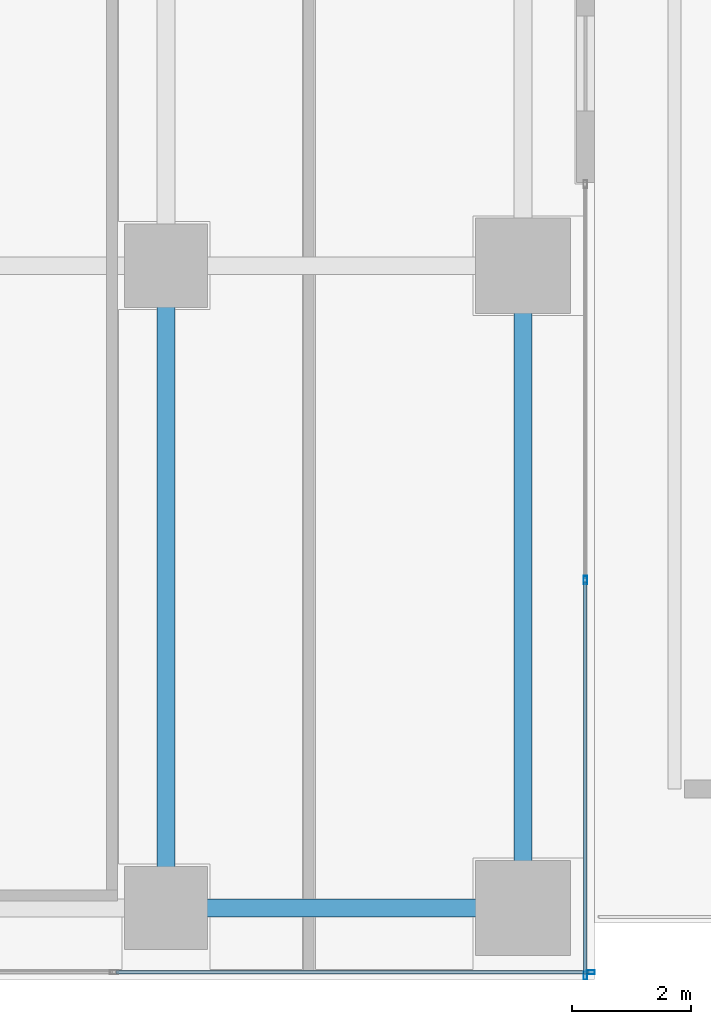
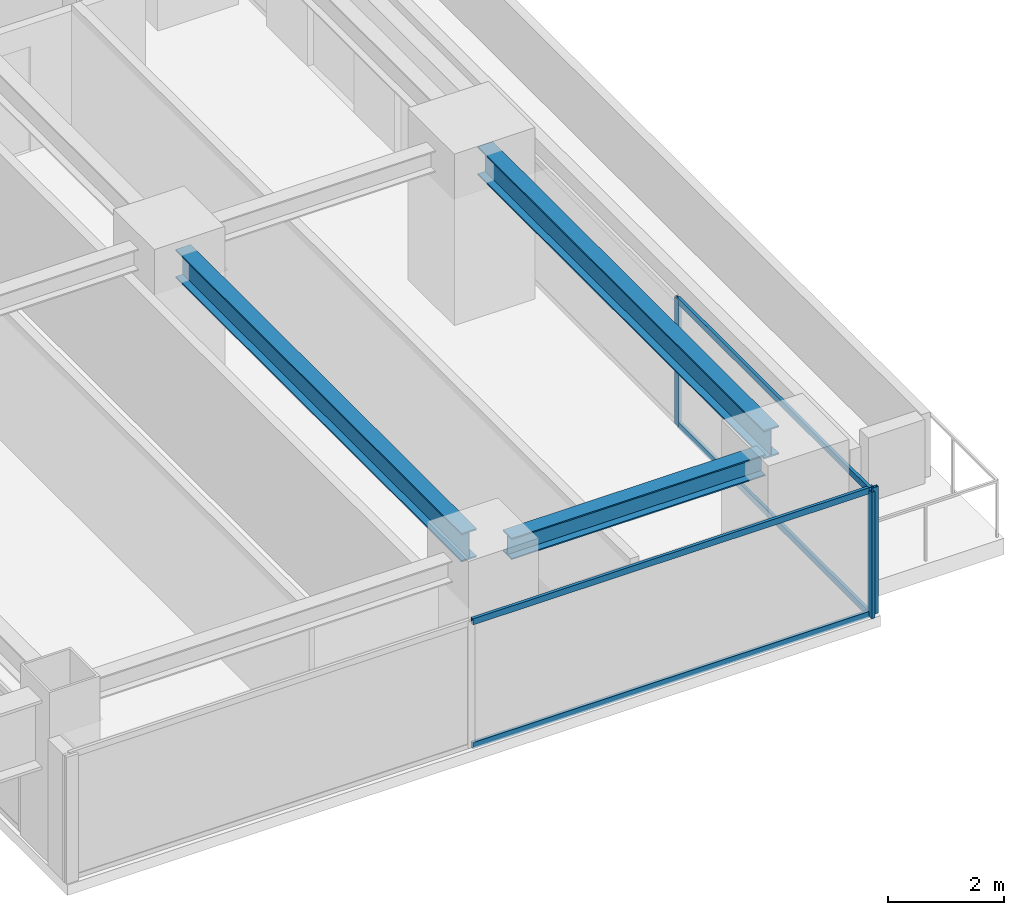
# One storey, part 15 of 32: 7 members, 3 beams, 2 elements without a shape of their own.
"""IFC4 building model written with IfcOpenShell, lengths in metres."""

from ifc_helpers import new_model, si_unit, direction, frame, origin, origin_2d, place, context, subcontext, project, spatial, hollow_rectangle, i_section, extrude, source, transform, mapped, material, layer, layer_set, material_profile, profile_set, type_object, element, aggregate, save


model = new_model("IFC4")

# Units and contexts
model_context = context("Model", 3, precision=1e-05, world=origin(), true_north=direction((0.0, 1.0)))
body_context = subcontext(model_context, "Body", "Model", "MODEL_VIEW")
ifc_project = project(units=[si_unit("LENGTHUNIT", "METRE"), si_unit("AREAUNIT", "SQUARE_METRE"), si_unit("VOLUMEUNIT", "CUBIC_METRE"), si_unit("PLANEANGLEUNIT", "RADIAN"), si_unit("MASSUNIT", "GRAM", prefix="KILO")], contexts=[model_context])

# Site, building, storey
site_placement = place(None, origin())
site = spatial("IfcSite", under=ifc_project, at=site_placement, CompositionType="ELEMENT")
building_placement = place(site_placement, origin())
building = spatial("IfcBuilding", under=site, at=building_placement, Name="Sumidabori Civic Tower", CompositionType="ELEMENT")
storey_placement = place(building_placement, frame((0.0, 0.0, 225.199951171875)))
storey = spatial("IfcBuildingStorey", under=building, at=storey_placement, Name="L58", CompositionType="ELEMENT", Elevation=225.199951171875)

# Beams
ifc_material_1 = material(Name="Steel SN490", Category="steel")
ifc_material_profile_1 = material_profile(ifc_material_1, i_section(OverallWidth=0.300048828125, OverallDepth=0.60009765625, WebThickness=0.015380859375, FlangeThickness=0.030029296875, at=origin_2d()), Name="HE 600 B")
ifc_profile_set_1 = profile_set([ifc_material_profile_1], Name="Steel SN490")
beam_type_1 = type_object("IfcBeamType", Name="BM-GIRD-600", PredefinedType="BEAM", material=ifc_profile_set_1)
shared_shape_1 = source(origin(), body_context, "Body", "SweptSolid", [
    extrude(i_section(OverallWidth=0.300048828125, OverallDepth=0.60009765625, WebThickness=0.015380859375, FlangeThickness=0.030029296875, at=origin_2d()), origin(), (0.0, 0.0, 1.0), 9.840087890625),
])
for number, where, z_axis, x_axis, name in (
    (1, (16.800048828125, -10.320068359375, 2.97998046875), (0.0, 1.0, 0.0), (-1.0, 0.0, 0.0), "Primary Girder L58 GY-19"),
    (2, (22.800048828125, -10.320068359375, 3.0400390625), (0.0, 1.0, 0.0), (-1.0, 0.0, 0.0), "Primary Girder L58 GY-22"),
):
    element("IfcBeam", number, at=place(storey_placement, frame(where, z_axis=z_axis, x_axis=x_axis)), inside=storey, type_object=beam_type_1, Name=name, PredefinedType="BEAM", context=body_context, shape_type="MappedRepresentation", body=[
        mapped(shared_shape_1, transform((0.0, 0.0, 0.0), x_axis=(1.0, 0.0, 0.0), y_axis=(0.0, 1.0, 0.0), z_axis=(0.0, 0.0, 1.0), scale=1.0)),
    ])
ifc_material_profile_2 = material_profile(ifc_material_1, i_section(OverallWidth=0.300048828125, OverallDepth=0.449951171875, WebThickness=0.013916015625, FlangeThickness=0.02587890625, at=origin_2d()), Name="HE 450 B")
ifc_profile_set_2 = profile_set([ifc_material_profile_2], Name="Steel SN490")
beam_type_2 = type_object("IfcBeamType", Name="BM-GIRD-450", PredefinedType="BEAM", material=ifc_profile_set_2)
shared_shape_2 = source(origin(), body_context, "Body", "SweptSolid", [
    extrude(i_section(OverallWidth=0.300048828125, OverallDepth=0.449951171875, WebThickness=0.013916015625, FlangeThickness=0.02587890625, at=origin_2d()), origin(), (0.0, 0.0, 1.0), 5.0400390625),
])
beam_placement = place(storey_placement, frame((17.280029296875, -10.800048828125, 3.114990234375), z_axis=(1.0, 0.0, 0.0), x_axis=(0.0, 1.0, 0.0)))
element("IfcBeam", 3, at=beam_placement, inside=storey, type_object=beam_type_2, Name="Primary Girder L58 GX-04", PredefinedType="BEAM", context=body_context, shape_type="MappedRepresentation", body=[
    mapped(shared_shape_2, transform((0.0, 0.0, 0.0), x_axis=(1.0, 0.0, 0.0), y_axis=(0.0, 1.0, 0.0), z_axis=(0.0, 0.0, 1.0), scale=1.0)),
])

# Curtain wall, members
ifc_material_2 = material(Name="Anodised Bronze Aluminium AW-6063-T6", Category="aluminium")
ifc_layer = layer(ifc_material_2, 0.179931640625, Name="Anodised Bronze Aluminium AW-6063-T6")
ifc_layer_set = layer_set([ifc_layer], Name="Anodised Bronze Aluminium AW-6063-T6")
curtain_wall_type = type_object("IfcCurtainWallType", Name="CW-SYS-5", PredefinedType="NOTDEFINED", material=ifc_layer_set)
curtain_wall_1_placement = place(storey_placement, origin())
curtain_wall_1 = element("IfcCurtainWall", 4, at=curtain_wall_1_placement, inside=storey, type_object=curtain_wall_type, Name="Curtain Wall CW:L58:R09", PredefinedType="NOTDEFINED")
ifc_material_profile_3 = material_profile(ifc_material_2, hollow_rectangle(XDim=0.06005859375, YDim=0.1298828125, WallThickness=0.0048828125, at=origin_2d()), Name="ALU TRANSOM 130x60")
ifc_profile_set_3 = profile_set([ifc_material_profile_3], Name="Anodised Bronze Aluminium AW-6063-T6")
member_type_1 = type_object("IfcMemberType", Name="CW-TRN-130", PredefinedType="USERDEFINED", material=ifc_profile_set_3)
shared_shape_3 = source(origin(), body_context, "Body", "SweptSolid", [
    extrude(hollow_rectangle(XDim=0.06005859375, YDim=0.1298828125, WallThickness=0.0048828125, at=origin_2d()), origin(), (0.0, 0.0, 1.0), 7.954833984375),
])
member_1_placement = place(storey_placement, frame((15.955078125, -11.8798828125, 0.030029296875), z_axis=(1.0, 0.0, 0.0), x_axis=(0.0, 1.0, 0.0)))
member_1 = element("IfcMember", 5, at=member_1_placement, type_object=member_type_1, Name="CW-5 transom 2.1", ObjectType="TRANSOM", PredefinedType="USERDEFINED", context=body_context, shape_type="MappedRepresentation", body=[
    mapped(shared_shape_3, transform((0.0, 0.0, 0.0), x_axis=(1.0, 0.0, 0.0), y_axis=(0.0, 1.0, 0.0), z_axis=(0.0, 0.0, 1.0), scale=1.0)),
])
member_2_placement = place(storey_placement, frame((15.955078125, -11.8798828125, 2.630126953125), z_axis=(1.0, 0.0, 0.0), x_axis=(0.0, 1.0, 0.0)))
member_2 = element("IfcMember", 6, at=member_2_placement, type_object=member_type_1, Name="CW-5 transom 2.2", ObjectType="TRANSOM", PredefinedType="USERDEFINED", context=body_context, shape_type="MappedRepresentation", body=[
    mapped(shared_shape_3, transform((0.0, 0.0, 0.0), x_axis=(1.0, 0.0, 0.0), y_axis=(0.0, 1.0, 0.0), z_axis=(0.0, 0.0, 1.0), scale=1.0)),
])
ifc_material_profile_4 = material_profile(ifc_material_2, hollow_rectangle(XDim=0.06005859375, YDim=0.139892578125, WallThickness=0.0048828125, at=origin_2d()), Name="ALU MULLION 140x60")
ifc_profile_set_4 = profile_set([ifc_material_profile_4], Name="Anodised Bronze Aluminium AW-6063-T6")
member_type_2 = type_object("IfcMemberType", Name="CW-MUL-140", PredefinedType="MULLION", material=ifc_profile_set_4)
shared_shape_4 = source(origin(), body_context, "Body", "SweptSolid", [
    extrude(hollow_rectangle(XDim=0.06005859375, YDim=0.139892578125, WallThickness=0.0048828125, at=origin_2d()), origin(), (0.0, 0.0, 1.0), 2.66015625),
])
member_3_placement = place(storey_placement, frame((23.93994140625, -11.8798828125, 0.0), z_axis=(0.0, 0.0, 1.0), x_axis=(0.0, 1.0, 0.0)))
member_3 = element("IfcMember", 7, at=member_3_placement, type_object=member_type_2, Name="CW-5 mullion 3", PredefinedType="MULLION", context=body_context, shape_type="MappedRepresentation", body=[
    mapped(shared_shape_4, transform((0.0, 0.0, 0.0), x_axis=(1.0, 0.0, 0.0), y_axis=(0.0, 1.0, 0.0), z_axis=(0.0, 0.0, 1.0), scale=1.0)),
])
aggregate(curtain_wall_1, [member_3, member_1, member_2])

curtain_wall_2_placement = place(storey_placement, origin())
curtain_wall_2 = element("IfcCurtainWall", 8, at=curtain_wall_2_placement, inside=storey, type_object=curtain_wall_type, Name="Curtain Wall CW:L58:R10", PredefinedType="NOTDEFINED")
member_4_placement = place(storey_placement, frame((23.85009765625, -11.93994140625, 0.0), z_axis=(0.0, 0.0, 1.0), x_axis=(-1.0, 0.0, 0.0)))
member_4 = element("IfcMember", 9, at=member_4_placement, type_object=member_type_2, Name="CW-5 mullion 1", PredefinedType="MULLION", context=body_context, shape_type="MappedRepresentation", body=[
    mapped(shared_shape_4, transform((0.0, 0.0, 0.0), x_axis=(1.0, 0.0, 0.0), y_axis=(0.0, 1.0, 0.0), z_axis=(0.0, 0.0, 1.0), scale=1.0)),
])
member_5_placement = place(storey_placement, frame((23.85009765625, -5.284912109375, 0.0), z_axis=(0.0, 0.0, 1.0), x_axis=(-1.0, 0.0, 0.0)))
member_5 = element("IfcMember", 10, at=member_5_placement, type_object=member_type_2, Name="CW-5 mullion 2", PredefinedType="MULLION", context=body_context, shape_type="MappedRepresentation", body=[
    mapped(shared_shape_4, transform((0.0, 0.0, 0.0), x_axis=(1.0, 0.0, 0.0), y_axis=(0.0, 1.0, 0.0), z_axis=(0.0, 0.0, 1.0), scale=1.0)),
])
shared_shape_5 = source(origin(), body_context, "Body", "SweptSolid", [
    extrude(hollow_rectangle(XDim=0.06005859375, YDim=0.1298828125, WallThickness=0.0048828125, at=origin_2d()), origin(), (0.0, 0.0, 1.0), 6.594970703125),
])
member_6_placement = place(storey_placement, frame((23.85009765625, -11.909912109375, 0.030029296875), z_axis=(0.0, 1.0, 0.0), x_axis=(-1.0, 0.0, 0.0)))
member_6 = element("IfcMember", 11, at=member_6_placement, type_object=member_type_1, Name="CW-5 transom 1.1", ObjectType="TRANSOM", PredefinedType="USERDEFINED", context=body_context, shape_type="MappedRepresentation", body=[
    mapped(shared_shape_5, transform((0.0, 0.0, 0.0), x_axis=(1.0, 0.0, 0.0), y_axis=(0.0, 1.0, 0.0), z_axis=(0.0, 0.0, 1.0), scale=1.0)),
])
member_7_placement = place(storey_placement, frame((23.85009765625, -11.909912109375, 2.630126953125), z_axis=(0.0, 1.0, 0.0), x_axis=(-1.0, 0.0, 0.0)))
member_7 = element("IfcMember", 12, at=member_7_placement, type_object=member_type_1, Name="CW-5 transom 1.2", ObjectType="TRANSOM", PredefinedType="USERDEFINED", context=body_context, shape_type="MappedRepresentation", body=[
    mapped(shared_shape_5, transform((0.0, 0.0, 0.0), x_axis=(1.0, 0.0, 0.0), y_axis=(0.0, 1.0, 0.0), z_axis=(0.0, 0.0, 1.0), scale=1.0)),
])
aggregate(curtain_wall_2, [member_4, member_5, member_6, member_7])

save(model, "model.ifc")
